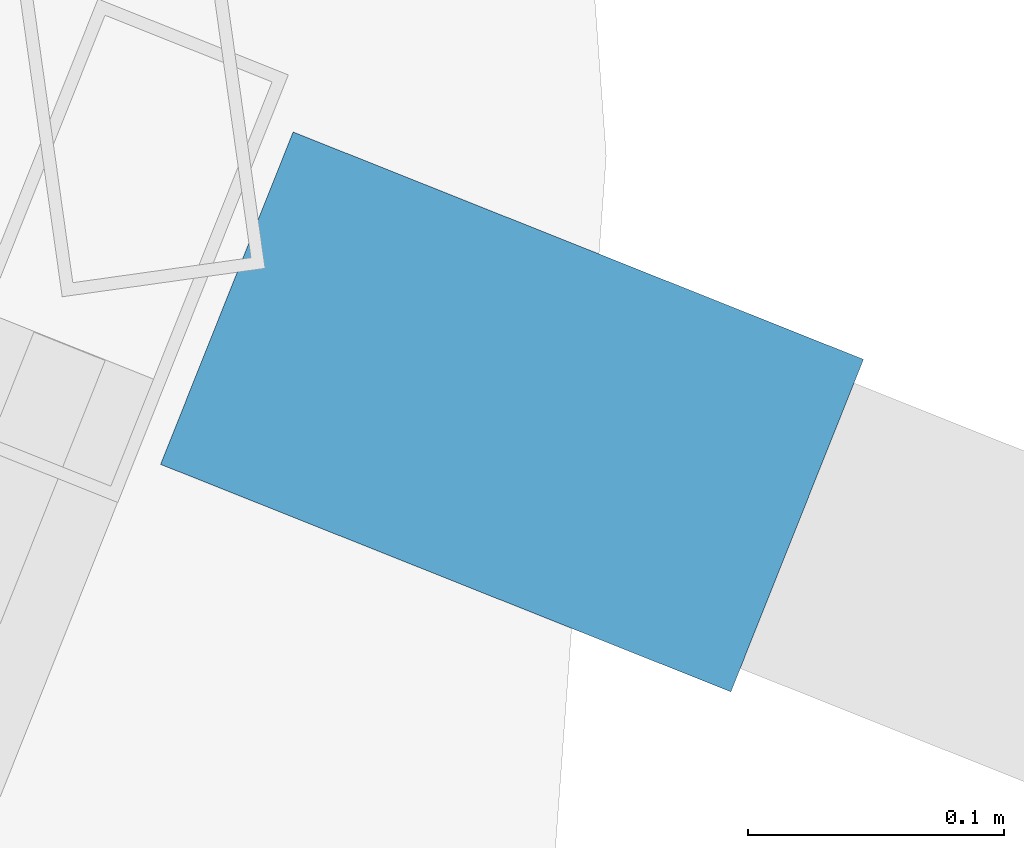
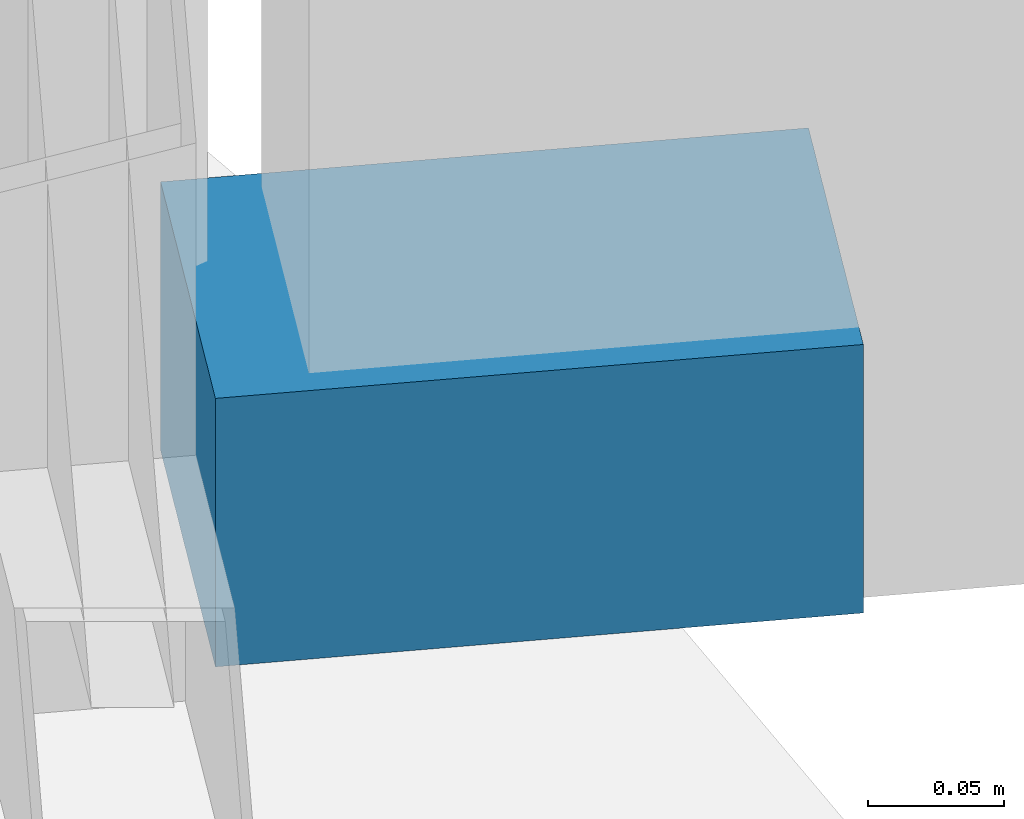
# One storey, part 29 of 32: 1 discrete accessory.
"""IFC4 building model written with IfcOpenShell, lengths in metres."""

import ifcopenshell
import ifcopenshell.guid

model = None  # the IFC model being written
_history = None  # IfcOwnerHistory: only IFC2X3 demands one
_inside = {}  # id of a spatial element -> (the spatial element, [elements in it])
_under = {}  # id of a project, library or spatial element -> (it, [spatial elements below it])
_declared = {}  # id of a project -> (the project, [libraries it declares])
_typed = {}  # id of a type object -> (the type object, [elements of that type])
_made_of = {}  # id of a material, layer set ... -> (it, [elements and type objects made of it])


def new_model(schema):
    """Start an empty IFC model of exactly this schema.

    Asked for "IFC4X3", IfcOpenShell would pick the latest addendum, in which some entities
    have other attributes; the version numbers below select the first issue.
    IFC2X3 requires an IfcOwnerHistory on every rooted entity: one is made here for all.
    """
    global model, _history
    if schema == "IFC4X3":
        model = ifcopenshell.file(schema_version=(4, 3, 0, 0))
    else:
        model = ifcopenshell.file(schema=schema)
    _inside.clear()
    _under.clear()
    _declared.clear()
    _typed.clear()
    _made_of.clear()
    _history = None
    if model.schema == "IFC2X3":
        org = make("IfcOrganization", Name="unknown")
        user = make(
            "IfcPersonAndOrganization",
            ThePerson=make("IfcPerson", FamilyName="unknown"),
            TheOrganization=org,
        )
        app = make(
            "IfcApplication",
            ApplicationDeveloper=org,
            Version="unknown",
            ApplicationFullName="unknown",
            ApplicationIdentifier="unknown",
        )
        _history = make(
            "IfcOwnerHistory",
            OwningUser=user,
            OwningApplication=app,
            ChangeAction="ADDED",
            CreationDate=0,
        )
    return model


def make(cls, **values):
    """One entity of the class cls with the attributes given. An attribute that is None is left unset."""
    return model.create_entity(
        cls, **{name: value for name, value in values.items() if value is not None}
    )


def rooted(cls, **values):
    """An entity with a GlobalId (a new one), such as an element, a storey or a relation."""
    return make(cls, GlobalId=ifcopenshell.guid.new(), OwnerHistory=_history, **values)


def si_unit(unit_type, name, prefix=None):
    """IfcSIUnit, for example si_unit("LENGTHUNIT", "METRE", prefix="MILLI")."""
    return make("IfcSIUnit", UnitType=unit_type, Prefix=prefix, Name=name)


def assignment(units):
    """IfcUnitAssignment: the units of a project."""
    return None if units is None else make("IfcUnitAssignment", Units=units)


def point(xyz):
    """IfcCartesianPoint."""
    return None if xyz is None else make("IfcCartesianPoint", Coordinates=xyz)


def direction(xyz):
    """IfcDirection."""
    return None if xyz is None else make("IfcDirection", DirectionRatios=xyz)


def frame(location, z_axis=None, x_axis=None):
    """IfcAxis2Placement3D, a coordinate frame: its origin and axes. An axis left out is left unset."""
    return make(
        "IfcAxis2Placement3D",
        Location=point(location),
        Axis=direction(z_axis),
        RefDirection=direction(x_axis),
    )


def frame_2d(location, x_axis=None):
    """IfcAxis2Placement2D, a coordinate frame in the plane: its origin and x axis."""
    return make(
        "IfcAxis2Placement2D", Location=point(location), RefDirection=direction(x_axis)
    )


def origin():
    """The frame at (0, 0, 0) with its axes left unset."""
    return frame((0.0, 0.0, 0.0))


def origin_2d():
    """The frame at (0, 0) in the plane with its x axis left unset."""
    return frame_2d((0.0, 0.0))


def place(relative_to, where):
    """IfcLocalPlacement: puts the frame where relative to a parent placement (None: the world)."""
    return make(
        "IfcLocalPlacement", PlacementRelTo=relative_to, RelativePlacement=where
    )


def context(
    kind, dimensions, precision=None, world=None, true_north=None, identifier=None
):
    """IfcGeometricRepresentationContext, for example the 3D "Model" context."""
    return make(
        "IfcGeometricRepresentationContext",
        ContextIdentifier=identifier,
        ContextType=kind,
        CoordinateSpaceDimension=dimensions,
        Precision=precision,
        WorldCoordinateSystem=world,
        TrueNorth=true_north,
    )


def subcontext(parent, identifier, kind, view, scale=None):
    """IfcGeometricRepresentationSubContext, for example "Body" below "Model"."""
    return make(
        "IfcGeometricRepresentationSubContext",
        ContextIdentifier=identifier,
        ContextType=kind,
        ParentContext=parent,
        TargetScale=scale,
        TargetView=view,
    )


def project(units=None, contexts=None):
    """IfcProject with its units and contexts."""
    return rooted(
        "IfcProject",
        Name="project",
        RepresentationContexts=contexts,
        UnitsInContext=assignment(units),
    )


def spatial(cls, under=None, at=None, **own):
    """A site, building, storey or space (cls), placed at a placement, below another one or the project."""
    s = rooted(cls, ObjectPlacement=at, **own)
    if under is not None:
        _under.setdefault(under.id(), (under, []))[1].append(s)
    return s


def profile(cls, at=None, kind="AREA", **sizes):
    """A parametric profile (cls). Its sizes go by their IFC names, for example OverallWidth=200.0."""
    return make(cls, ProfileType=kind, Position=at, **sizes)


def rectangle(**sizes):
    """IfcRectangleProfileDef."""
    return profile("IfcRectangleProfileDef", **sizes)


def extrude(swept, where, along, depth):
    """IfcExtrudedAreaSolid: the profile swept, set in the frame where, extruded along a direction by depth."""
    return make(
        "IfcExtrudedAreaSolid",
        SweptArea=swept,
        Position=where,
        ExtrudedDirection=direction(along),
        Depth=depth,
    )


def shape(context_of_items, identifier, shape_type, items):
    """IfcShapeRepresentation: the items that make up one representation, for example the "Body"."""
    return make(
        "IfcShapeRepresentation",
        ContextOfItems=context_of_items,
        RepresentationIdentifier=identifier,
        RepresentationType=shape_type,
        Items=items,
    )


def material(Name=None, Category=None):
    """IfcMaterial."""
    return make("IfcMaterial", Name=Name, Category=Category)


def made_of(thing, what):
    """Note that an element or type object is made of a material, layer set ...; save() writes the relation."""
    if what is not None:
        _made_of.setdefault(what.id(), (what, []))[1].append(thing)
    return thing


def type_object(cls, material=None, **own):
    """A type object (cls), such as IfcWallType, which elements share."""
    return made_of(rooted(cls, **own), material)


def element(
    cls,
    number,
    at=None,
    inside=None,
    cuts=None,
    type_object=None,
    material=None,
    context=None,
    identifier="Body",
    shape_type=None,
    held_by="IfcProductDefinitionShape",
    body=None,
    shapes=None,
    **own,
):
    """One element of the class cls, such as IfcWall. Its Tag is "e" and its number.

    at: its placement. inside: the storey or other place that contains it. cuts: it is an
    opening in that element (IfcRelVoidsElement). A single representation is given by context,
    identifier, shape_type and body (its items); several are given by shapes. held_by: the class
    of the entity that holds the representations. save() writes the other relations.
    """
    e = rooted(cls, Tag="e%d" % number, ObjectPlacement=at, **own)
    if body is not None:
        shapes = [shape(context, identifier, shape_type, body)]
    if shapes is not None:
        e.Representation = make(held_by, Representations=shapes)
    if inside is not None:
        _inside.setdefault(inside.id(), (inside, []))[1].append(e)
    if cuts is not None:
        rooted(
            "IfcRelVoidsElement", RelatingBuildingElement=cuts, RelatedOpeningElement=e
        )
    if type_object is not None:
        _typed.setdefault(type_object.id(), (type_object, []))[1].append(e)
    return made_of(e, material)


def aggregate(whole, parts):
    """IfcRelAggregates: a whole, such as a stair, and the parts it consists of."""
    return rooted("IfcRelAggregates", RelatingObject=whole, RelatedObjects=parts)


def save(model, path):
    """Write the relations noted so far, then the file.

    IfcRelAggregates (storeys below a building ...), IfcRelContainedInSpatialStructure (elements
    in a storey), IfcRelDefinesByType, IfcRelAssociatesMaterial and IfcRelDeclares: one each for
    every whole, place, type object, material and project.
    """
    for whole, parts in _under.values():
        aggregate(whole, parts)
    for where, things in _inside.values():
        rooted(
            "IfcRelContainedInSpatialStructure",
            RelatedElements=things,
            RelatingStructure=where,
        )
    for kind, things in _typed.values():
        rooted("IfcRelDefinesByType", RelatedObjects=things, RelatingType=kind)
    for what, things in _made_of.values():
        rooted("IfcRelAssociatesMaterial", RelatedObjects=things, RelatingMaterial=what)
    for by, libraries in _declared.values():
        rooted("IfcRelDeclares", RelatingContext=by, RelatedDefinitions=libraries)
    model.write(path)


model = new_model("IFC4")

# Units and contexts
model_context = context("Model", 3, precision=1e-05, world=origin(), true_north=direction((0.0, 1.0)))
body_context = subcontext(model_context, "Body", "Model", "MODEL_VIEW")
ifc_project = project(units=[si_unit("LENGTHUNIT", "METRE"), si_unit("AREAUNIT", "SQUARE_METRE"), si_unit("VOLUMEUNIT", "CUBIC_METRE"), si_unit("PLANEANGLEUNIT", "RADIAN"), si_unit("MASSUNIT", "GRAM", prefix="KILO")], contexts=[model_context])

# Site, building, storey
site_placement = place(None, origin())
site = spatial("IfcSite", under=ifc_project, at=site_placement, CompositionType="ELEMENT")
building_placement = place(site_placement, origin())
building = spatial("IfcBuilding", under=site, at=building_placement, Name="Kazevale Care Tower and Concert Hall", CompositionType="ELEMENT")
storey_placement = place(building_placement, frame((0.0, 0.0, 34.800048828125)))
storey = spatial("IfcBuildingStorey", under=building, at=storey_placement, Name="L08", CompositionType="ELEMENT", Elevation=34.800048828125)

# Discrete accessory
ifc_material = material(Name="Stainless Steel 316", Category="steel")
discrete_accessory_type = type_object("IfcDiscreteAccessoryType", Name="Facade Fin Stainless Anchor Bracket BRK-1", PredefinedType="BRACKET", material=ifc_material)
discrete_accessory_placement = place(storey_placement, frame((80.76318359375, 37.89990234375, 0.0), z_axis=(0.0, 0.0, 1.0), x_axis=(0.928874213199, -0.370395324019, 0.0)))
element("IfcDiscreteAccessory", 1, at=discrete_accessory_placement, inside=storey, type_object=discrete_accessory_type, Name="cw:L08:f01:brk", PredefinedType="BRACKET", context=body_context, shape_type="SweptSolid", body=[
    extrude(rectangle(XDim=0.239990234375, YDim=0.139892578125, at=origin_2d()), origin(), (0.0, 0.0, 1.0), 0.1201171875),
])

save(model, "model.ifc")
